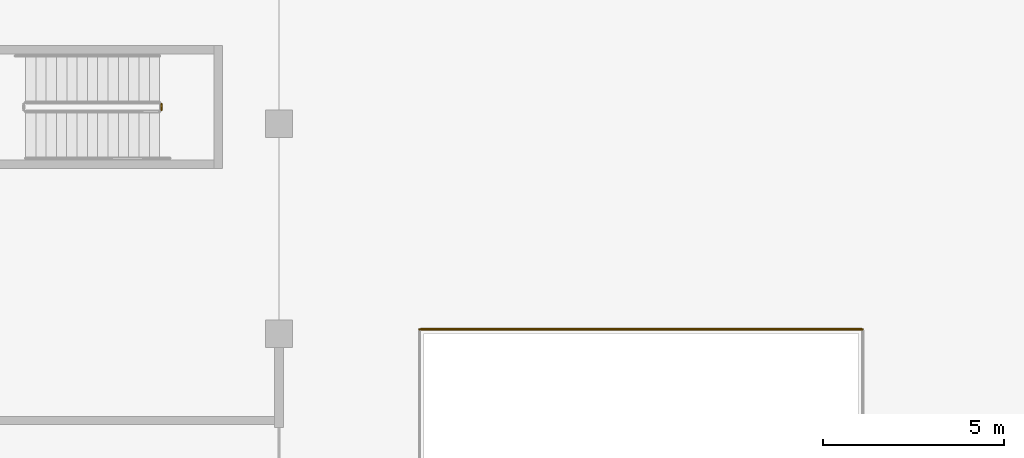
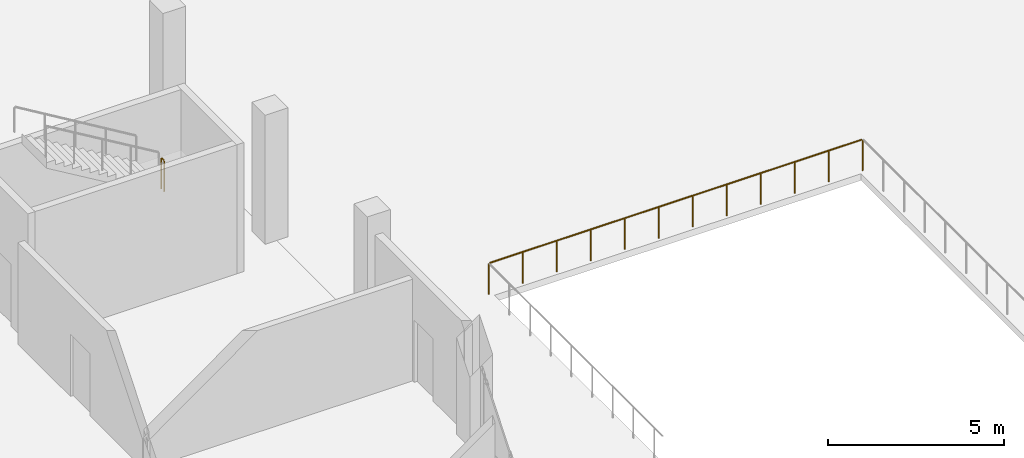
# One storey, part 126 of 132: 2 railings.
"""IFC4 building model written with IfcOpenShell, lengths in metres."""

from ifc_helpers import new_model, si_unit, direction, frame, origin, origin_2d, place, context, subcontext, project, spatial, circle, extrude, material, type_object, element, save


model = new_model("IFC4")

# Units and contexts
model_context = context("Model", 3, precision=1e-05, world=origin(), true_north=direction((0.0, 1.0)))
body_context = subcontext(model_context, "Body", "Model", "MODEL_VIEW")
ifc_project = project(units=[si_unit("LENGTHUNIT", "METRE"), si_unit("AREAUNIT", "SQUARE_METRE"), si_unit("VOLUMEUNIT", "CUBIC_METRE"), si_unit("PLANEANGLEUNIT", "RADIAN"), si_unit("MASSUNIT", "GRAM", prefix="KILO")], contexts=[model_context])

# Site, building, storey
site_placement = place(None, origin())
site = spatial("IfcSite", under=ifc_project, at=site_placement, CompositionType="ELEMENT")
building_placement = place(site_placement, origin())
building = spatial("IfcBuilding", under=site, at=building_placement, Name="Tanwirah Colonnade Gardens", CompositionType="ELEMENT")
storey_placement = place(building_placement, origin())
storey = spatial("IfcBuildingStorey", under=building, at=storey_placement, Name="L00", CompositionType="ELEMENT", Elevation=0.0)

# Railings
ifc_material = material(Name="Powder-coated galvanized steel", Category="steel")
railing_type = type_object("IfcRailingType", Name="GRD-ST110", PredefinedType="GUARDRAIL", material=ifc_material)
railing_1_placement = place(storey_placement, frame((104.7548828125, 74.97998046875, 2.3798828125)))
element("IfcRailing", 1, at=railing_1_placement, inside=storey, type_object=railing_type, Name="L00 ST-H2 stair guard 2", PredefinedType="GUARDRAIL", context=body_context, shape_type="SweptSolid", body=[
    extrude(circle(Radius=0.02392578125, at=origin_2d()), frame((0.0, 0.03125, 1.076171875), z_axis=(0.0, 1.0, 0.0), x_axis=(-1.0, 0.0, 0.0)), (0.0, 0.0, 1.0), 0.097412109375),
    extrude(circle(Radius=0.02099609375, at=origin_2d()), origin(), (0.0, 0.0, 1.0), 1.049072265625),
    extrude(circle(Radius=0.02099609375, at=origin_2d()), frame((0.0, 0.159912109375, 0.0)), (0.0, 0.0, 1.0), 1.049072265625),
])
railing_2_placement = place(storey_placement, frame((124.1201171875, 68.919921875, 0.0)))
element("IfcRailing", 2, at=railing_2_placement, inside=storey, type_object=railing_type, Name="Courtyard Sunken Garden Perimeter Guard 2.3", PredefinedType="GUARDRAIL", context=body_context, shape_type="SweptSolid", body=[
    extrude(circle(Radius=0.02392578125, at=origin_2d()), frame((-0.03125, 0.0, 1.076171875), z_axis=(-1.0, 0.0, 0.0), x_axis=(0.0, -1.0, 0.0)), (0.0, 0.0, 1.0), 12.177734375),
    extrude(circle(Radius=0.02099609375, at=origin_2d()), origin(), (0.0, 0.0, 1.0), 1.049072265625),
    extrude(circle(Radius=0.02099609375, at=origin_2d()), frame((-1.11279296875, 0.0, 0.0)), (0.0, 0.0, 1.0), 1.049072265625),
    extrude(circle(Radius=0.02099609375, at=origin_2d()), frame((-2.2255859375, 0.0, 0.0)), (0.0, 0.0, 1.0), 1.049072265625),
    extrude(circle(Radius=0.02099609375, at=origin_2d()), frame((-3.338134765625, 0.0, 0.0)), (0.0, 0.0, 1.0), 1.049072265625),
    extrude(circle(Radius=0.02099609375, at=origin_2d()), frame((-4.450927734375, 0.0, 0.0)), (0.0, 0.0, 1.0), 1.049072265625),
    extrude(circle(Radius=0.02099609375, at=origin_2d()), frame((-5.563720703125, 0.0, 0.0)), (0.0, 0.0, 1.0), 1.049072265625),
    extrude(circle(Radius=0.02099609375, at=origin_2d()), frame((-6.676513671875, 0.0, 0.0)), (0.0, 0.0, 1.0), 1.049072265625),
    extrude(circle(Radius=0.02099609375, at=origin_2d()), frame((-7.789306640625, 0.0, 0.0)), (0.0, 0.0, 1.0), 1.049072265625),
    extrude(circle(Radius=0.02099609375, at=origin_2d()), frame((-8.902099609375, 0.0, 0.0)), (0.0, 0.0, 1.0), 1.049072265625),
    extrude(circle(Radius=0.02099609375, at=origin_2d()), frame((-10.0146484375, 0.0, 0.0)), (0.0, 0.0, 1.0), 1.049072265625),
    extrude(circle(Radius=0.02099609375, at=origin_2d()), frame((-11.12744140625, 0.0, 0.0)), (0.0, 0.0, 1.0), 1.049072265625),
    extrude(circle(Radius=0.02099609375, at=origin_2d()), frame((-12.240234375, 0.0, 0.0)), (0.0, 0.0, 1.0), 1.049072265625),
])

save(model, "model.ifc")
